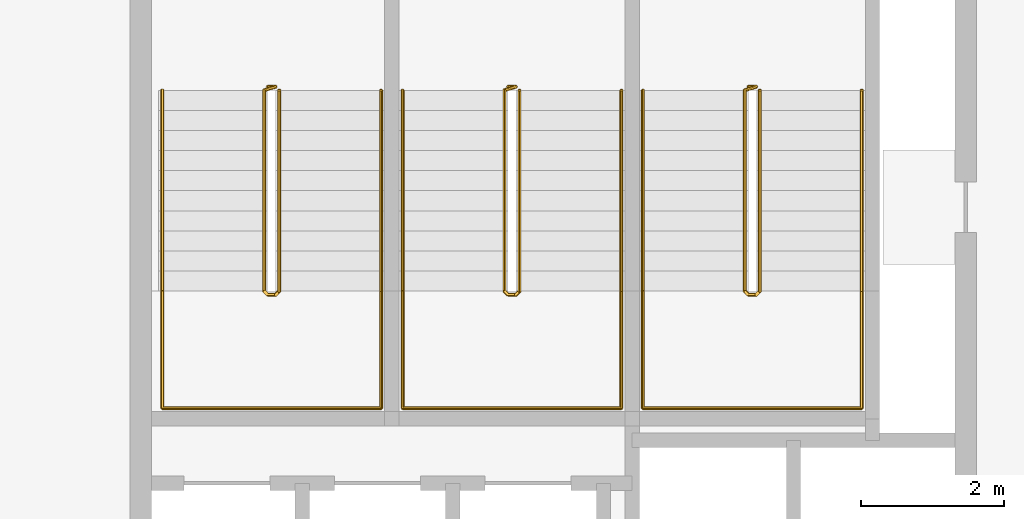
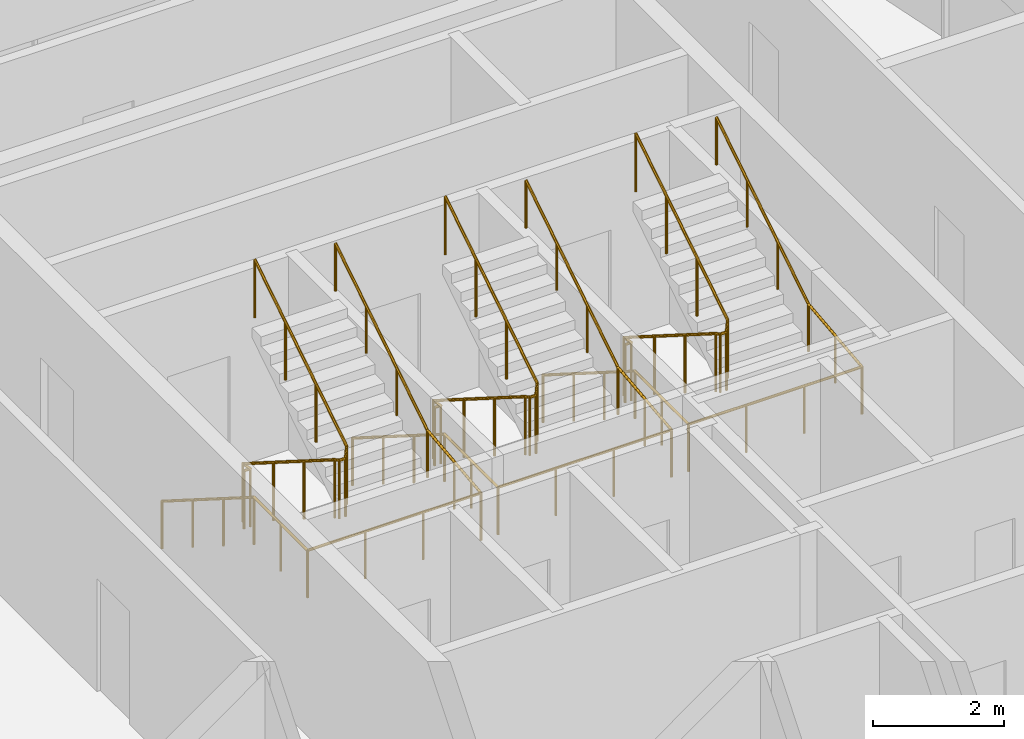
# One storey, part 9 of 9: 6 railings.
"""IFC4 building model written with IfcOpenShell, lengths in metres."""

from ifc_helpers import new_model, si_unit, direction, frame, origin, origin_2d, place, context, subcontext, project, spatial, circle, extrude, material, type_object, element, save


model = new_model("IFC4")

# Units and contexts
model_context = context("Model", 3, precision=1e-05, world=origin(), true_north=direction((0.0, 1.0)))
body_context = subcontext(model_context, "Body", "Model", "MODEL_VIEW")
ifc_project = project(units=[si_unit("LENGTHUNIT", "METRE"), si_unit("AREAUNIT", "SQUARE_METRE"), si_unit("VOLUMEUNIT", "CUBIC_METRE"), si_unit("PLANEANGLEUNIT", "RADIAN"), si_unit("MASSUNIT", "GRAM", prefix="KILO")], contexts=[model_context])

# Site, building, storey
site_placement = place(None, origin())
site = spatial("IfcSite", under=ifc_project, at=site_placement, CompositionType="ELEMENT")
building_placement = place(site_placement, origin())
building = spatial("IfcBuilding", under=site, at=building_placement, Name="Tessera Arch", CompositionType="ELEMENT")
storey_placement = place(building_placement, frame((0.0, 0.0, 316.800048828125)))
storey = spatial("IfcBuildingStorey", under=building, at=storey_placement, Name="L76", CompositionType="ELEMENT", Elevation=316.800048828125)

# Railings
ifc_material_1 = material(Name="Painted steel balustrade", Category="steel")
railing_type_1 = type_object("IfcRailingType", Name="Stair guard 1100", PredefinedType="GUARDRAIL", material=ifc_material_1)
railing_1_placement = place(storey_placement, frame((38.219970703125, 43.6298828125, 0.0)))
element("IfcRailing", 1, at=railing_1_placement, inside=storey, type_object=railing_type_1, Name="L76 S1a stair guard 1", PredefinedType="GUARDRAIL", context=body_context, shape_type="SweptSolid", body=[
    extrude(circle(Radius=0.02392578125, at=origin_2d()), frame((-0.00390625, 0.0, 1.076171875), z_axis=(1.0, 0.0, 0.0), x_axis=(0.0, 1.0, 0.0)), (0.0, 0.0, 1.0), 0.1181640625),
    extrude(circle(Radius=0.02392578125, at=origin_2d()), frame((0.11279296875, 0.000732421875, 1.0732421875), z_axis=(-0.656319048605, -0.204099216335, 0.726353093426), x_axis=(0.296948579431, -0.954893471113, 0.0)), (0.0, 0.0, 1.0), 0.251953125),
    extrude(circle(Radius=0.02392578125, at=origin_2d()), frame((-0.050048828125, -0.04638671875, 1.251220703125), z_axis=(0.0, -0.844908973607, 0.534910110503), x_axis=(1.0, 0.0, 0.0)), (0.0, 0.0, 1.0), 3.322021484375),
    extrude(circle(Radius=0.02392578125, at=origin_2d()), frame((-0.052978515625, -2.846923828125, 3.02587890625), z_axis=(0.707106781187, -0.707106781187, 0.0), x_axis=(0.707106781187, 0.707106781187, 0.0)), (0.0, 0.0, 1.0), 0.078857421875),
    extrude(circle(Radius=0.02392578125, at=origin_2d()), frame((-0.00390625, -2.89990234375, 3.02587890625), z_axis=(1.0, 0.0, 0.0), x_axis=(0.0, 1.0, 0.0)), (0.0, 0.0, 1.0), 0.1181640625),
    extrude(circle(Radius=0.02392578125, at=origin_2d()), frame((0.109130859375, -2.90087890625, 3.022216796875), z_axis=(0.261041864531, 0.262321481514, 0.929001929653), x_axis=(-0.708833529934, 0.705375805398, 0.0)), (0.0, 0.0, 1.0), 0.19873046875),
    extrude(circle(Radius=0.02392578125, at=origin_2d()), frame((0.159912109375, -2.853271484375, 3.201171875), z_axis=(0.0, 0.844908973607, 0.534910110503), x_axis=(-1.0, 0.0, 0.0)), (0.0, 0.0, 1.0), 3.322021484375),
    extrude(circle(Radius=0.02099609375, at=origin_2d()), origin(), (0.0, 0.0, 1.0), 1.06396484375),
    extrude(circle(Radius=0.02099609375, at=origin_2d()), frame((0.110107421875, 0.0, 0.0)), (0.0, 0.0, 1.0), 1.06396484375),
    extrude(circle(Radius=0.02099609375, at=origin_2d()), frame((-0.050048828125, -0.0498046875, 0.17724609375)), (0.0, 0.0, 1.0), 1.06396484375),
    extrude(circle(Radius=0.02099609375, at=origin_2d()), frame((-0.050048828125, -0.983154296875, 0.76806640625)), (0.0, 0.0, 1.0), 1.06396484375),
    extrude(circle(Radius=0.02099609375, at=origin_2d()), frame((-0.050048828125, -1.91650390625, 1.359130859375)), (0.0, 0.0, 1.0), 1.06396484375),
    extrude(circle(Radius=0.02099609375, at=origin_2d()), frame((-0.050048828125, -2.849853515625, 1.949951171875)), (0.0, 0.0, 1.0), 1.06396484375),
    extrude(circle(Radius=0.02099609375, at=origin_2d()), frame((0.0, -2.89990234375, 1.949951171875)), (0.0, 0.0, 1.0), 1.06396484375),
    extrude(circle(Radius=0.02099609375, at=origin_2d()), frame((0.110107421875, -2.89990234375, 1.949951171875)), (0.0, 0.0, 1.0), 1.06396484375),
    extrude(circle(Radius=0.02099609375, at=origin_2d()), frame((0.159912109375, -2.849853515625, 2.127197265625)), (0.0, 0.0, 1.0), 1.06396484375),
    extrude(circle(Radius=0.02099609375, at=origin_2d()), frame((0.159912109375, -1.91650390625, 2.718017578125)), (0.0, 0.0, 1.0), 1.06396484375),
    extrude(circle(Radius=0.02099609375, at=origin_2d()), frame((0.159912109375, -0.983154296875, 3.30908203125)), (0.0, 0.0, 1.0), 1.06396484375),
    extrude(circle(Radius=0.02099609375, at=origin_2d()), frame((0.159912109375, -0.0498046875, 3.89990234375)), (0.0, 0.0, 1.0), 1.06396484375),
])
railing_2_placement = place(storey_placement, frame((41.570068359375, 43.6298828125, 0.0)))
element("IfcRailing", 2, at=railing_2_placement, inside=storey, type_object=railing_type_1, Name="L76 S1b stair guard 1", PredefinedType="GUARDRAIL", context=body_context, shape_type="SweptSolid", body=[
    extrude(circle(Radius=0.02392578125, at=origin_2d()), frame((-0.00390625, 0.0, 1.076171875), z_axis=(1.0, 0.0, 0.0), x_axis=(0.0, 1.0, 0.0)), (0.0, 0.0, 1.0), 0.117919921875),
    extrude(circle(Radius=0.02392578125, at=origin_2d()), frame((0.112548828125, 0.000732421875, 1.0732421875), z_axis=(-0.65574896516, -0.204233265485, 0.726830150696), x_axis=(0.297361876254, -0.954764847777, 0.0)), (0.0, 0.0, 1.0), 0.251953125),
    extrude(circle(Radius=0.02392578125, at=origin_2d()), frame((-0.050048828125, -0.04638671875, 1.251220703125), z_axis=(0.0, -0.844908973607, 0.534910110503), x_axis=(1.0, 0.0, 0.0)), (0.0, 0.0, 1.0), 3.322021484375),
    extrude(circle(Radius=0.02392578125, at=origin_2d()), frame((-0.052978515625, -2.846923828125, 3.02587890625), z_axis=(0.707106781187, -0.707106781187, 0.0), x_axis=(0.707106781187, 0.707106781187, 0.0)), (0.0, 0.0, 1.0), 0.078857421875),
    extrude(circle(Radius=0.02392578125, at=origin_2d()), frame((-0.00390625, -2.89990234375, 3.02587890625), z_axis=(1.0, 0.0, 0.0), x_axis=(0.0, 1.0, 0.0)), (0.0, 0.0, 1.0), 0.117919921875),
    extrude(circle(Radius=0.02392578125, at=origin_2d()), frame((0.10888671875, -2.90087890625, 3.022216796875), z_axis=(0.262233686654, 0.262233686654, 0.928691007369), x_axis=(-0.707106781187, 0.707106781187, 0.0)), (0.0, 0.0, 1.0), 0.198974609375),
    extrude(circle(Radius=0.02392578125, at=origin_2d()), frame((0.159912109375, -2.853271484375, 3.201171875), z_axis=(0.0, 0.844908973607, 0.534910110503), x_axis=(-1.0, 0.0, 0.0)), (0.0, 0.0, 1.0), 3.322021484375),
    extrude(circle(Radius=0.02099609375, at=origin_2d()), origin(), (0.0, 0.0, 1.0), 1.06396484375),
    extrude(circle(Radius=0.02099609375, at=origin_2d()), frame((0.10986328125, 0.0, 0.0)), (0.0, 0.0, 1.0), 1.06396484375),
    extrude(circle(Radius=0.02099609375, at=origin_2d()), frame((-0.050048828125, -0.0498046875, 0.17724609375)), (0.0, 0.0, 1.0), 1.06396484375),
    extrude(circle(Radius=0.02099609375, at=origin_2d()), frame((-0.050048828125, -0.983154296875, 0.76806640625)), (0.0, 0.0, 1.0), 1.06396484375),
    extrude(circle(Radius=0.02099609375, at=origin_2d()), frame((-0.050048828125, -1.91650390625, 1.359130859375)), (0.0, 0.0, 1.0), 1.06396484375),
    extrude(circle(Radius=0.02099609375, at=origin_2d()), frame((-0.050048828125, -2.849853515625, 1.949951171875)), (0.0, 0.0, 1.0), 1.06396484375),
    extrude(circle(Radius=0.02099609375, at=origin_2d()), frame((0.0, -2.89990234375, 1.949951171875)), (0.0, 0.0, 1.0), 1.06396484375),
    extrude(circle(Radius=0.02099609375, at=origin_2d()), frame((0.10986328125, -2.89990234375, 1.949951171875)), (0.0, 0.0, 1.0), 1.06396484375),
    extrude(circle(Radius=0.02099609375, at=origin_2d()), frame((0.159912109375, -2.849853515625, 2.127197265625)), (0.0, 0.0, 1.0), 1.06396484375),
    extrude(circle(Radius=0.02099609375, at=origin_2d()), frame((0.159912109375, -1.91650390625, 2.718017578125)), (0.0, 0.0, 1.0), 1.06396484375),
    extrude(circle(Radius=0.02099609375, at=origin_2d()), frame((0.159912109375, -0.983154296875, 3.30908203125)), (0.0, 0.0, 1.0), 1.06396484375),
    extrude(circle(Radius=0.02099609375, at=origin_2d()), frame((0.159912109375, -0.0498046875, 3.89990234375)), (0.0, 0.0, 1.0), 1.06396484375),
])
railing_3_placement = place(storey_placement, frame((44.919921875, 43.6298828125, 0.0)))
element("IfcRailing", 3, at=railing_3_placement, inside=storey, type_object=railing_type_1, Name="L76 S1c stair guard 1", PredefinedType="GUARDRAIL", context=body_context, shape_type="SweptSolid", body=[
    extrude(circle(Radius=0.02392578125, at=origin_2d()), frame((-0.00390625, 0.0, 1.076171875), z_axis=(1.0, 0.0, 0.0), x_axis=(0.0, 1.0, 0.0)), (0.0, 0.0, 1.0), 0.1181640625),
    extrude(circle(Radius=0.02392578125, at=origin_2d()), frame((0.11279296875, 0.000732421875, 1.0732421875), z_axis=(-0.65574896516, -0.204233265485, 0.726830150696), x_axis=(0.297361876254, -0.954764847777, 0.0)), (0.0, 0.0, 1.0), 0.251953125),
    extrude(circle(Radius=0.02392578125, at=origin_2d()), frame((-0.0498046875, -0.04638671875, 1.251220703125), z_axis=(0.0, -0.844908973607, 0.534910110503), x_axis=(1.0, 0.0, 0.0)), (0.0, 0.0, 1.0), 3.322021484375),
    extrude(circle(Radius=0.02392578125, at=origin_2d()), frame((-0.052734375, -2.846923828125, 3.02587890625), z_axis=(0.705375805398, -0.708833529934, 0.0), x_axis=(0.708833529934, 0.705375805398, 0.0)), (0.0, 0.0, 1.0), 0.07861328125),
    extrude(circle(Radius=0.02392578125, at=origin_2d()), frame((-0.00390625, -2.89990234375, 3.02587890625), z_axis=(1.0, 0.0, 0.0), x_axis=(0.0, 1.0, 0.0)), (0.0, 0.0, 1.0), 0.1181640625),
    extrude(circle(Radius=0.02392578125, at=origin_2d()), frame((0.109130859375, -2.90087890625, 3.022216796875), z_axis=(0.262233686654, 0.262233686654, 0.928691007369), x_axis=(-0.707106781187, 0.707106781187, 0.0)), (0.0, 0.0, 1.0), 0.198974609375),
    extrude(circle(Radius=0.02392578125, at=origin_2d()), frame((0.16015625, -2.853271484375, 3.201171875), z_axis=(0.0, 0.844908973607, 0.534910110503), x_axis=(-1.0, 0.0, 0.0)), (0.0, 0.0, 1.0), 3.322021484375),
    extrude(circle(Radius=0.02099609375, at=origin_2d()), origin(), (0.0, 0.0, 1.0), 1.06396484375),
    extrude(circle(Radius=0.02099609375, at=origin_2d()), frame((0.110107421875, 0.0, 0.0)), (0.0, 0.0, 1.0), 1.06396484375),
    extrude(circle(Radius=0.02099609375, at=origin_2d()), frame((-0.0498046875, -0.0498046875, 0.17724609375)), (0.0, 0.0, 1.0), 1.06396484375),
    extrude(circle(Radius=0.02099609375, at=origin_2d()), frame((-0.0498046875, -0.983154296875, 0.76806640625)), (0.0, 0.0, 1.0), 1.06396484375),
    extrude(circle(Radius=0.02099609375, at=origin_2d()), frame((-0.0498046875, -1.91650390625, 1.359130859375)), (0.0, 0.0, 1.0), 1.06396484375),
    extrude(circle(Radius=0.02099609375, at=origin_2d()), frame((-0.0498046875, -2.849853515625, 1.949951171875)), (0.0, 0.0, 1.0), 1.06396484375),
    extrude(circle(Radius=0.02099609375, at=origin_2d()), frame((0.0, -2.89990234375, 1.949951171875)), (0.0, 0.0, 1.0), 1.06396484375),
    extrude(circle(Radius=0.02099609375, at=origin_2d()), frame((0.110107421875, -2.89990234375, 1.949951171875)), (0.0, 0.0, 1.0), 1.06396484375),
    extrude(circle(Radius=0.02099609375, at=origin_2d()), frame((0.16015625, -2.849853515625, 2.127197265625)), (0.0, 0.0, 1.0), 1.06396484375),
    extrude(circle(Radius=0.02099609375, at=origin_2d()), frame((0.16015625, -1.91650390625, 2.718017578125)), (0.0, 0.0, 1.0), 1.06396484375),
    extrude(circle(Radius=0.02099609375, at=origin_2d()), frame((0.16015625, -0.983154296875, 3.30908203125)), (0.0, 0.0, 1.0), 1.06396484375),
    extrude(circle(Radius=0.02099609375, at=origin_2d()), frame((0.16015625, -0.0498046875, 3.89990234375)), (0.0, 0.0, 1.0), 1.06396484375),
])
ifc_material_2 = material(Name="Painted steel handrail", Category="steel")
railing_type_2 = type_object("IfcRailingType", Name="Stair handrail 900", PredefinedType="HANDRAIL", material=ifc_material_2)
railing_4_placement = place(storey_placement, frame((36.75, 43.580078125, 0.17724609375)))
element("IfcRailing", 4, at=railing_4_placement, inside=storey, type_object=railing_type_2, Name="L76 S1a stair handrail", PredefinedType="HANDRAIL", context=body_context, shape_type="SweptSolid", body=[
    extrude(circle(Radius=0.02392578125, at=origin_2d()), frame((0.0, 0.00341796875, 0.873779296875), z_axis=(0.0, -0.844908973607, 0.534910110503), x_axis=(1.0, 0.0, 0.0)), (0.0, 0.0, 1.0), 3.322021484375),
    extrude(circle(Radius=0.02392578125, at=origin_2d()), frame((0.0, -2.796142578125, 2.6484375), z_axis=(0.0, -1.0, 0.0), x_axis=(1.0, 0.0, 0.0)), (0.0, 0.0, 1.0), 1.63818359375),
    extrude(circle(Radius=0.02392578125, at=origin_2d()), frame((-0.00390625, -4.43017578125, 2.6484375), z_axis=(1.0, 0.0, 0.0), x_axis=(0.0, 1.0, 0.0)), (0.0, 0.0, 1.0), 3.05810546875),
    extrude(circle(Radius=0.02392578125, at=origin_2d()), frame((3.050048828125, -4.43408203125, 2.648193359375), z_axis=(0.0, 0.994140637614, 0.108094369164), x_axis=(-1.0, 0.0, 0.0)), (0.0, 0.0, 1.0), 1.647705078125),
    extrude(circle(Radius=0.02392578125, at=origin_2d()), frame((3.050048828125, -2.803466796875, 2.82373046875), z_axis=(0.0, 0.844908973607, 0.534910110503), x_axis=(-1.0, 0.0, 0.0)), (0.0, 0.0, 1.0), 3.322021484375),
    extrude(circle(Radius=0.02099609375, at=origin_2d()), origin(), (0.0, 0.0, 1.0), 0.86376953125),
    extrude(circle(Radius=0.02099609375, at=origin_2d()), frame((0.0, -0.933349609375, 0.5908203125)), (0.0, 0.0, 1.0), 0.86376953125),
    extrude(circle(Radius=0.02099609375, at=origin_2d()), frame((0.0, -1.86669921875, 1.181884765625)), (0.0, 0.0, 1.0), 0.86376953125),
    extrude(circle(Radius=0.02099609375, at=origin_2d()), frame((0.0, -2.800048828125, 1.772705078125)), (0.0, 0.0, 1.0), 0.86376953125),
    extrude(circle(Radius=0.02099609375, at=origin_2d()), frame((0.0, -3.615234375, 1.772705078125)), (0.0, 0.0, 1.0), 0.86376953125),
    extrude(circle(Radius=0.02099609375, at=origin_2d()), frame((0.0, -4.43017578125, 1.772705078125)), (0.0, 0.0, 1.0), 0.86376953125),
    extrude(circle(Radius=0.02099609375, at=origin_2d()), frame((1.0166015625, -4.43017578125, 1.772705078125)), (0.0, 0.0, 1.0), 0.86376953125),
    extrude(circle(Radius=0.02099609375, at=origin_2d()), frame((2.033447265625, -4.43017578125, 1.772705078125)), (0.0, 0.0, 1.0), 0.86376953125),
    extrude(circle(Radius=0.02099609375, at=origin_2d()), frame((3.050048828125, -4.43017578125, 1.772705078125)), (0.0, 0.0, 1.0), 0.86376953125),
    extrude(circle(Radius=0.02099609375, at=origin_2d()), frame((3.050048828125, -3.615234375, 1.861328125)), (0.0, 0.0, 1.0), 0.86376953125),
    extrude(circle(Radius=0.02099609375, at=origin_2d()), frame((3.050048828125, -2.800048828125, 1.949951171875)), (0.0, 0.0, 1.0), 0.86376953125),
    extrude(circle(Radius=0.02099609375, at=origin_2d()), frame((3.050048828125, -1.86669921875, 2.540771484375)), (0.0, 0.0, 1.0), 0.86376953125),
    extrude(circle(Radius=0.02099609375, at=origin_2d()), frame((3.050048828125, -0.933349609375, 3.1318359375)), (0.0, 0.0, 1.0), 0.86376953125),
    extrude(circle(Radius=0.02099609375, at=origin_2d()), frame((3.050048828125, 0.0, 3.72265625)), (0.0, 0.0, 1.0), 0.86376953125),
])
railing_5_placement = place(storey_placement, frame((40.10009765625, 43.580078125, 0.17724609375)))
element("IfcRailing", 5, at=railing_5_placement, inside=storey, type_object=railing_type_2, Name="L76 S1b stair handrail", PredefinedType="HANDRAIL", context=body_context, shape_type="SweptSolid", body=[
    extrude(circle(Radius=0.02392578125, at=origin_2d()), frame((0.0, 0.00341796875, 0.873779296875), z_axis=(0.0, -0.844908973607, 0.534910110503), x_axis=(1.0, 0.0, 0.0)), (0.0, 0.0, 1.0), 3.322021484375),
    extrude(circle(Radius=0.02392578125, at=origin_2d()), frame((0.0, -2.796142578125, 2.6484375), z_axis=(0.0, -1.0, 0.0), x_axis=(1.0, 0.0, 0.0)), (0.0, 0.0, 1.0), 1.63818359375),
    extrude(circle(Radius=0.02392578125, at=origin_2d()), frame((-0.00390625, -4.43017578125, 2.6484375), z_axis=(1.0, 0.0, 0.0), x_axis=(0.0, 1.0, 0.0)), (0.0, 0.0, 1.0), 3.057861328125),
    extrude(circle(Radius=0.02392578125, at=origin_2d()), frame((3.0498046875, -4.43408203125, 2.648193359375), z_axis=(0.0, 0.994140637614, 0.108094369164), x_axis=(-1.0, 0.0, 0.0)), (0.0, 0.0, 1.0), 1.647705078125),
    extrude(circle(Radius=0.02392578125, at=origin_2d()), frame((3.0498046875, -2.803466796875, 2.82373046875), z_axis=(0.0, 0.844908973607, 0.534910110503), x_axis=(-1.0, 0.0, 0.0)), (0.0, 0.0, 1.0), 3.322021484375),
    extrude(circle(Radius=0.02099609375, at=origin_2d()), origin(), (0.0, 0.0, 1.0), 0.86376953125),
    extrude(circle(Radius=0.02099609375, at=origin_2d()), frame((0.0, -0.933349609375, 0.5908203125)), (0.0, 0.0, 1.0), 0.86376953125),
    extrude(circle(Radius=0.02099609375, at=origin_2d()), frame((0.0, -1.86669921875, 1.181884765625)), (0.0, 0.0, 1.0), 0.86376953125),
    extrude(circle(Radius=0.02099609375, at=origin_2d()), frame((0.0, -2.800048828125, 1.772705078125)), (0.0, 0.0, 1.0), 0.86376953125),
    extrude(circle(Radius=0.02099609375, at=origin_2d()), frame((0.0, -3.615234375, 1.772705078125)), (0.0, 0.0, 1.0), 0.86376953125),
    extrude(circle(Radius=0.02099609375, at=origin_2d()), frame((0.0, -4.43017578125, 1.772705078125)), (0.0, 0.0, 1.0), 0.86376953125),
    extrude(circle(Radius=0.02099609375, at=origin_2d()), frame((1.0166015625, -4.43017578125, 1.772705078125)), (0.0, 0.0, 1.0), 0.86376953125),
    extrude(circle(Radius=0.02099609375, at=origin_2d()), frame((2.033203125, -4.43017578125, 1.772705078125)), (0.0, 0.0, 1.0), 0.86376953125),
    extrude(circle(Radius=0.02099609375, at=origin_2d()), frame((3.0498046875, -4.43017578125, 1.772705078125)), (0.0, 0.0, 1.0), 0.86376953125),
    extrude(circle(Radius=0.02099609375, at=origin_2d()), frame((3.0498046875, -3.615234375, 1.861328125)), (0.0, 0.0, 1.0), 0.86376953125),
    extrude(circle(Radius=0.02099609375, at=origin_2d()), frame((3.0498046875, -2.800048828125, 1.949951171875)), (0.0, 0.0, 1.0), 0.86376953125),
    extrude(circle(Radius=0.02099609375, at=origin_2d()), frame((3.0498046875, -1.86669921875, 2.540771484375)), (0.0, 0.0, 1.0), 0.86376953125),
    extrude(circle(Radius=0.02099609375, at=origin_2d()), frame((3.0498046875, -0.933349609375, 3.1318359375)), (0.0, 0.0, 1.0), 0.86376953125),
    extrude(circle(Radius=0.02099609375, at=origin_2d()), frame((3.0498046875, 0.0, 3.72265625)), (0.0, 0.0, 1.0), 0.86376953125),
])
railing_6_placement = place(storey_placement, frame((43.449951171875, 43.580078125, 0.17724609375)))
element("IfcRailing", 6, at=railing_6_placement, inside=storey, type_object=railing_type_2, Name="L76 S1c stair handrail", PredefinedType="HANDRAIL", context=body_context, shape_type="SweptSolid", body=[
    extrude(circle(Radius=0.02392578125, at=origin_2d()), frame((0.0, 0.00341796875, 0.873779296875), z_axis=(0.0, -0.844908973607, 0.534910110503), x_axis=(1.0, 0.0, 0.0)), (0.0, 0.0, 1.0), 3.322021484375),
    extrude(circle(Radius=0.02392578125, at=origin_2d()), frame((0.0, -2.796142578125, 2.6484375), z_axis=(0.0, -1.0, 0.0), x_axis=(1.0, 0.0, 0.0)), (0.0, 0.0, 1.0), 1.63818359375),
    extrude(circle(Radius=0.02392578125, at=origin_2d()), frame((-0.00390625, -4.43017578125, 2.6484375), z_axis=(1.0, 0.0, 0.0), x_axis=(0.0, 1.0, 0.0)), (0.0, 0.0, 1.0), 3.05810546875),
    extrude(circle(Radius=0.02392578125, at=origin_2d()), frame((3.050048828125, -4.43408203125, 2.648193359375), z_axis=(0.0, 0.994140637614, 0.108094369164), x_axis=(-1.0, 0.0, 0.0)), (0.0, 0.0, 1.0), 1.647705078125),
    extrude(circle(Radius=0.02392578125, at=origin_2d()), frame((3.050048828125, -2.803466796875, 2.82373046875), z_axis=(0.0, 0.844908973607, 0.534910110503), x_axis=(-1.0, 0.0, 0.0)), (0.0, 0.0, 1.0), 3.322021484375),
    extrude(circle(Radius=0.02099609375, at=origin_2d()), origin(), (0.0, 0.0, 1.0), 0.86376953125),
    extrude(circle(Radius=0.02099609375, at=origin_2d()), frame((0.0, -0.933349609375, 0.5908203125)), (0.0, 0.0, 1.0), 0.86376953125),
    extrude(circle(Radius=0.02099609375, at=origin_2d()), frame((0.0, -1.86669921875, 1.181884765625)), (0.0, 0.0, 1.0), 0.86376953125),
    extrude(circle(Radius=0.02099609375, at=origin_2d()), frame((0.0, -2.800048828125, 1.772705078125)), (0.0, 0.0, 1.0), 0.86376953125),
    extrude(circle(Radius=0.02099609375, at=origin_2d()), frame((0.0, -3.615234375, 1.772705078125)), (0.0, 0.0, 1.0), 0.86376953125),
    extrude(circle(Radius=0.02099609375, at=origin_2d()), frame((0.0, -4.43017578125, 1.772705078125)), (0.0, 0.0, 1.0), 0.86376953125),
    extrude(circle(Radius=0.02099609375, at=origin_2d()), frame((1.0166015625, -4.43017578125, 1.772705078125)), (0.0, 0.0, 1.0), 0.86376953125),
    extrude(circle(Radius=0.02099609375, at=origin_2d()), frame((2.033447265625, -4.43017578125, 1.772705078125)), (0.0, 0.0, 1.0), 0.86376953125),
    extrude(circle(Radius=0.02099609375, at=origin_2d()), frame((3.050048828125, -4.43017578125, 1.772705078125)), (0.0, 0.0, 1.0), 0.86376953125),
    extrude(circle(Radius=0.02099609375, at=origin_2d()), frame((3.050048828125, -3.615234375, 1.861328125)), (0.0, 0.0, 1.0), 0.86376953125),
    extrude(circle(Radius=0.02099609375, at=origin_2d()), frame((3.050048828125, -2.800048828125, 1.949951171875)), (0.0, 0.0, 1.0), 0.86376953125),
    extrude(circle(Radius=0.02099609375, at=origin_2d()), frame((3.050048828125, -1.86669921875, 2.540771484375)), (0.0, 0.0, 1.0), 0.86376953125),
    extrude(circle(Radius=0.02099609375, at=origin_2d()), frame((3.050048828125, -0.933349609375, 3.1318359375)), (0.0, 0.0, 1.0), 0.86376953125),
    extrude(circle(Radius=0.02099609375, at=origin_2d()), frame((3.050048828125, 0.0, 3.72265625)), (0.0, 0.0, 1.0), 0.86376953125),
])

save(model, "model.ifc")
